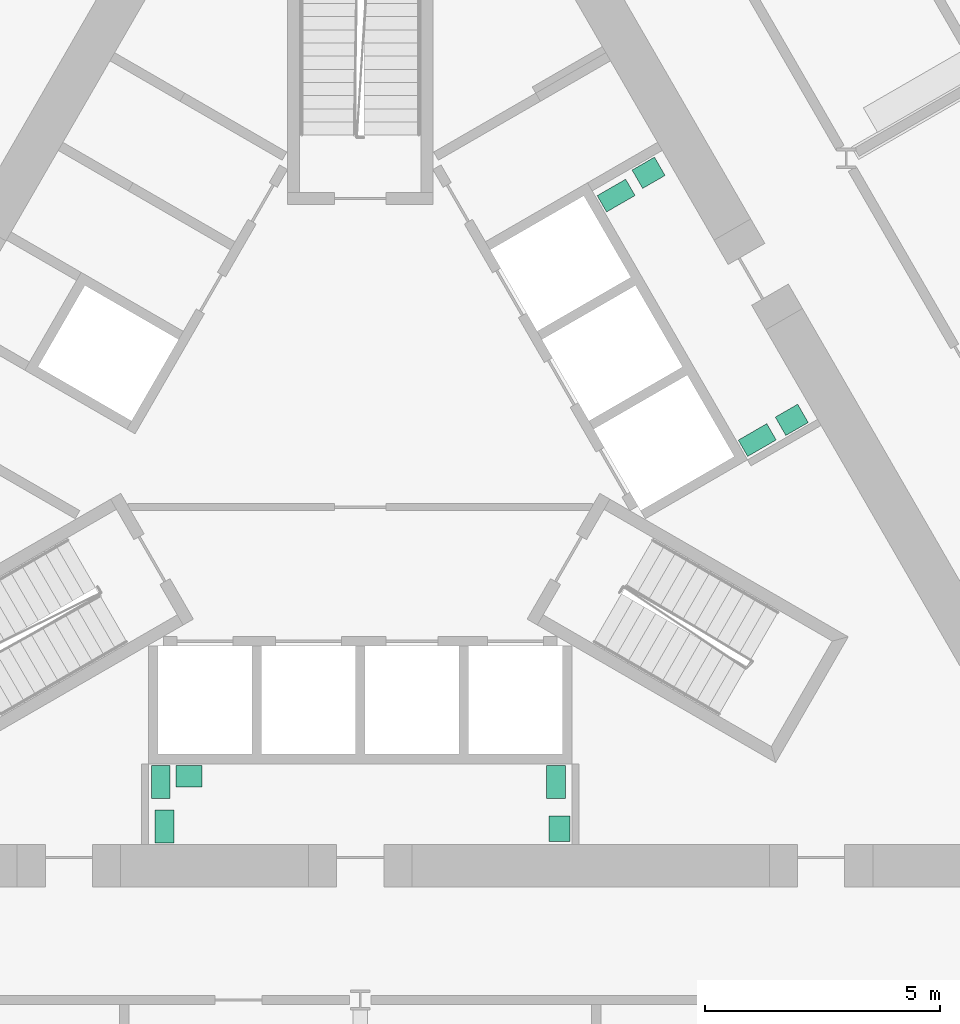
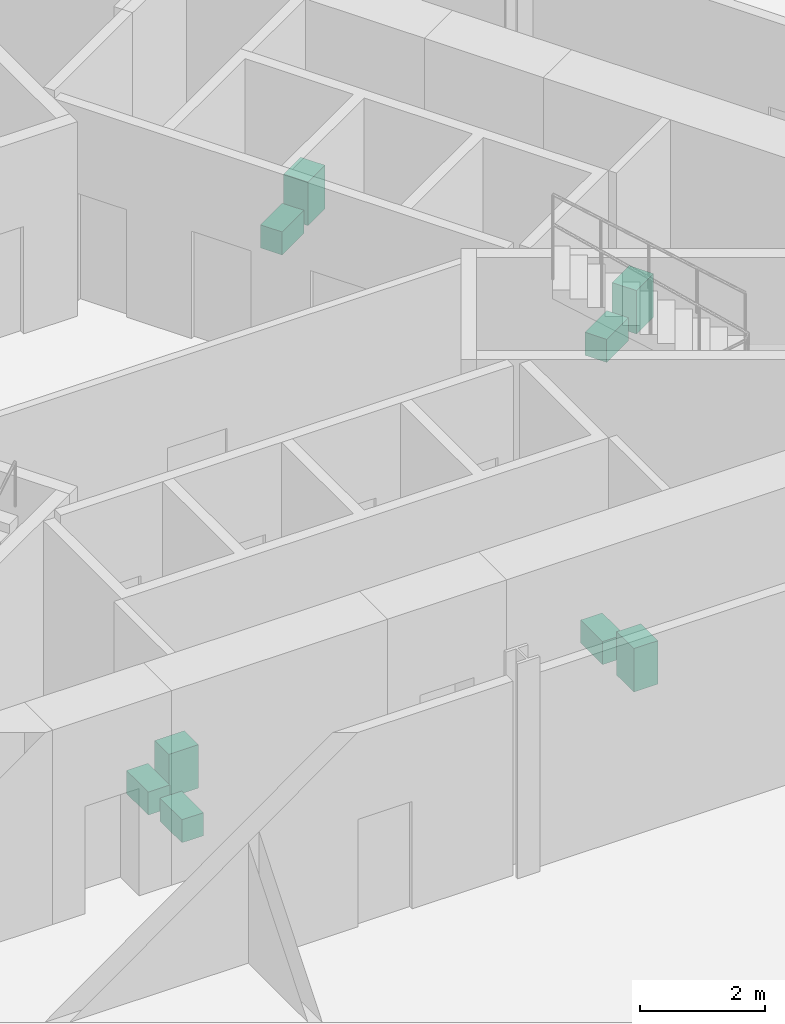
# One storey, part 20 of 21: 9 sanitary terminals.
"""IFC4 building model written with IfcOpenShell, lengths in metres."""

from ifc_helpers import new_model, si_unit, direction, frame, origin, origin_2d, place, context, subcontext, project, spatial, rectangle, extrude, material, type_object, element, save


model = new_model("IFC4")

# Units and contexts
model_context = context("Model", 3, precision=1e-05, world=origin(), true_north=direction((0.0, 1.0)))
body_context = subcontext(model_context, "Body", "Model", "MODEL_VIEW")
ifc_project = project(units=[si_unit("LENGTHUNIT", "METRE"), si_unit("AREAUNIT", "SQUARE_METRE"), si_unit("VOLUMEUNIT", "CUBIC_METRE"), si_unit("PLANEANGLEUNIT", "RADIAN"), si_unit("MASSUNIT", "GRAM", prefix="KILO")], contexts=[model_context])

# Site, building, storey
site_placement = place(None, origin())
site = spatial("IfcSite", under=ifc_project, at=site_placement, CompositionType="ELEMENT")
building_placement = place(site_placement, origin())
building = spatial("IfcBuilding", under=site, at=building_placement, Name="Cormorant Prow Tower", CompositionType="ELEMENT")
storey_placement = place(building_placement, frame((0.0, 0.0, 112.199951171875)))
storey = spatial("IfcBuildingStorey", under=building, at=storey_placement, Name="L23", CompositionType="ELEMENT", Elevation=112.199951171875)

# Sanitary terminals
ifc_material_1 = material(Name="Vitreous china")
sanitary_terminal_type_1 = type_object("IfcSanitaryTerminalType", Name="Wash basin 550x450", PredefinedType="WASHHANDBASIN", material=ifc_material_1)
for number, where, z_axis, x_axis, name in (
    (1, (4.235107421875, -8.286376953125, 0.0), (0.0, 0.0, 1.0), (0.0, 1.0, 0.0), "Wash basin"),
    (2, (-3.639892578125, -7.1708984375, 0.0), (0.0, 0.0, 1.0), (-1.0, 0.0, 0.0), "Wash basin"),
    (3, (6.128662109375, 5.6572265625, 0.0), (0.0, 0.0, 1.0), (-0.866034130299, -0.499984884929, 0.0), "Wash basin"),
    (4, (9.172119140625, 0.405517578125, 0.0), (0.0, 0.0, 1.0), (0.866034130299, 0.499984884929, 0.0), "Wash basin"),
):
    element("IfcSanitaryTerminal", number, at=place(storey_placement, frame(where, z_axis=z_axis, x_axis=x_axis)), inside=storey, type_object=sanitary_terminal_type_1, Name=name, PredefinedType="WASHHANDBASIN", context=body_context, shape_type="SweptSolid", body=[
        extrude(rectangle(XDim=0.550048828125, YDim=0.449951171875, at=origin_2d()), origin(), (0.0, 0.0, 1.0), 0.85009765625),
    ])
ifc_material_2 = material(Name="Vitreous china")
sanitary_terminal_type_2 = type_object("IfcSanitaryTerminalType", Name="Water closet 400x700", PredefinedType="WCSEAT", material=ifc_material_2)
for number, where, z_axis, x_axis, name in (
    (5, (-4.239990234375, -7.2958984375, 0.0), (0.0, 0.0, 1.0), (-1.0, 0.0, 0.0), "Water closet"),
    (6, (4.159912109375, -7.2958984375, 0.0), (0.0, 0.0, 1.0), (-1.0, 0.0, 0.0), "Water closet"),
    (7, (-4.159912109375, -8.236328125, 0.0), (0.0, 0.0, 1.0), (1.0, 0.0, 0.0), "Water closet"),
    (8, (8.4384765625, -0.02392578125, 0.0), (0.0, 0.0, 1.0), (0.5, -0.866025403784, 0.0), "Water closet"),
    (9, (5.4384765625, 5.172119140625, 0.0), (0.0, 0.0, 1.0), (0.5, -0.866025403784, 0.0), "Water closet"),
):
    element("IfcSanitaryTerminal", number, at=place(storey_placement, frame(where, z_axis=z_axis, x_axis=x_axis)), inside=storey, type_object=sanitary_terminal_type_2, Name=name, PredefinedType="WCSEAT", context=body_context, shape_type="SweptSolid", body=[
        extrude(rectangle(XDim=0.39990234375, YDim=0.699951171875, at=origin_2d()), origin(), (0.0, 0.0, 1.0), 0.449951171875),
    ])

save(model, "model.ifc")
